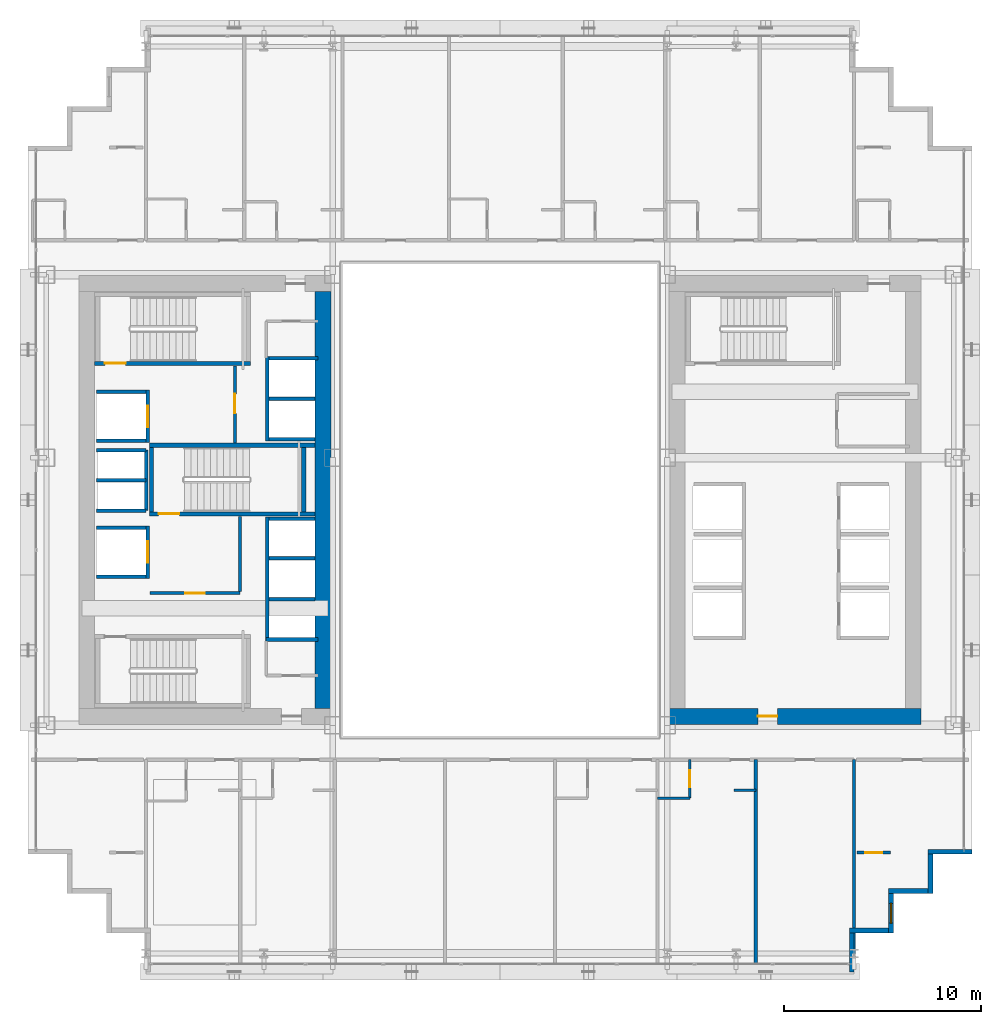
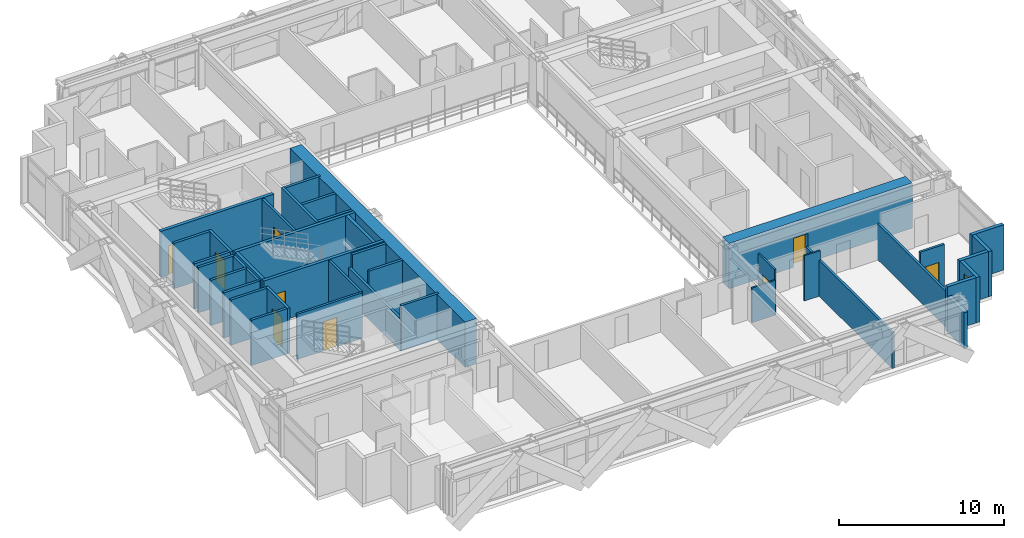
# One storey, part 28 of 35: 41 walls, 9 doors, 1 window, 10 openings.
"""IFC4 building model written with IfcOpenShell, lengths in metres."""

from ifc_helpers import new_model, si_unit, direction, frame, frame_2d, origin, place, context, subcontext, project, spatial, rectangle, extrude, source, transform, mapped, material, layer, layer_set, type_object, element, fill, save


model = new_model("IFC4")

# Units and contexts
model_context = context("Model", 3, precision=1e-05, world=origin(), true_north=direction((0.0, 1.0)))
body_context = subcontext(model_context, "Body", "Model", "MODEL_VIEW")
ifc_project = project(units=[si_unit("LENGTHUNIT", "METRE"), si_unit("AREAUNIT", "SQUARE_METRE"), si_unit("VOLUMEUNIT", "CUBIC_METRE"), si_unit("PLANEANGLEUNIT", "RADIAN"), si_unit("MASSUNIT", "GRAM", prefix="KILO")], contexts=[model_context])

# Site, building, storey
site_placement = place(None, origin())
site = spatial("IfcSite", under=ifc_project, at=site_placement, CompositionType="ELEMENT")
building_placement = place(site_placement, origin())
building = spatial("IfcBuilding", under=site, at=building_placement, Name="Ocotamira Hotel", CompositionType="ELEMENT")
storey_placement = place(building_placement, frame((0.0, 0.0, 70.800048828125)))
storey = spatial("IfcBuildingStorey", under=building, at=storey_placement, Name="L17", CompositionType="ELEMENT", Elevation=70.800048828125)

# Wall
ifc_material_1 = material(Name="Concrete C60/75", Category="concrete")
ifc_layer_1 = layer(ifc_material_1, 0.800048828125)
ifc_layer_set_1 = layer_set([ifc_layer_1], Name="Concrete C60/75")
wall_type_1 = type_object("IfcWallType", Name="WL-CORE-800", PredefinedType="SHEAR", material=ifc_layer_set_1)
wall_1_placement = place(storey_placement, frame((23.0, 15.39990234375, 0.0), z_axis=(0.0, 0.0, 1.0), x_axis=(0.0, 1.0, 0.0)))
element("IfcWall", 1, at=wall_1_placement, inside=storey, type_object=wall_type_1, Name="L17 Shear Core Wall WCORE-E", PredefinedType="SHEAR", context=body_context, shape_type="SweptSolid", body=[
    extrude(rectangle(XDim=21.2001953125, YDim=0.800048828125, at=frame_2d((10.60009765625, 0.0))), origin(), (0.0, 0.0, 1.0), 3.349853515625),
])

# Wall, opening, door
wall_2_placement = place(storey_placement, frame((40.60009765625, 15.0, 0.0), z_axis=(0.0, 0.0, 1.0), x_axis=(1.0, 0.0, 0.0)))
wall_2 = element("IfcWall", 2, at=wall_2_placement, inside=storey, type_object=wall_type_1, Name="L17 Shear Core Wall ECORE-S", PredefinedType="SHEAR", context=body_context, shape_type="SweptSolid", body=[
    extrude(rectangle(XDim=12.7998046875, YDim=0.800048828125, at=frame_2d((6.39990234375, 0.0))), origin(), (0.0, 0.0, 1.0), 3.349853515625),
])
opening_1_placement = place(wall_2_placement, frame((4.5, 0.0, 0.0)))
opening_1 = element("IfcOpeningElement", 3, at=opening_1_placement, cuts=wall_2, Name="Opening D-FR2", PredefinedType="OPENING", context=body_context, shape_type="SweptSolid", body=[
    extrude(rectangle(XDim=1.0, YDim=2.14990234375, at=frame_2d((0.5, 1.074951171875))), frame((0.0, 0.41015625, 0.0), z_axis=(0.0, -1.0, 0.0), x_axis=(1.0, 0.0, 0.0)), (0.0, 0.0, 1.0), 0.820068359375),
])
ifc_material_2 = material(Name="Fire-rated acoustic timber-veneer door", Category="wood")
door_type_1 = type_object("IfcDoorType", Name="DR-FIRE-1000", OperationType="NOTDEFINED", PredefinedType="DOOR", material=ifc_material_2)
shared_shape_1 = source(origin(), body_context, "Body", "SweptSolid", [
    extrude(rectangle(XDim=1.0, YDim=2.14990234375, at=frame_2d((0.5, 1.074951171875))), frame((0.0, 0.02490234375, 0.0), z_axis=(0.0, -1.0, 0.0), x_axis=(1.0, 0.0, 0.0)), (0.0, 0.0, 1.0), 0.050048828125),
])
door_1_placement = place(opening_1_placement, origin())
door_1 = element("IfcDoor", 4, at=door_1_placement, inside=storey, type_object=door_type_1, Name="L17 Door ID-L17-ELOB-S-D [ID-L17-ELOB-S-D]", OperationType="SINGLE_SWING_RIGHT", OverallHeight=2.14990234375, OverallWidth=1.0, PredefinedType="DOOR", context=body_context, shape_type="MappedRepresentation", body=[
    mapped(shared_shape_1, transform((0.0, 0.0, 0.0), scale=1.0)),
])
fill(opening_1, door_1)

# Walls
ifc_material_3 = material(Name="Precast concrete C45/55", Category="concrete")
ifc_layer_2 = layer(ifc_material_3, 0.25)
ifc_layer_set_2 = layer_set([ifc_layer_2], Name="Precast concrete C45/55")
wall_type_2 = type_object("IfcWallType", Name="WL-EXT-SER-250", PredefinedType="SOLIDWALL", material=ifc_layer_set_2)
wall_3_placement = place(storey_placement, frame((49.875, 2.0, 0.0), z_axis=(0.0, 0.0, 1.0), x_axis=(0.0, 1.0, 0.0)))
element("IfcWall", 5, at=wall_3_placement, inside=storey, type_object=wall_type_2, Name="L17 Serrated Corner Wall 01", PredefinedType="SOLIDWALL", context=body_context, shape_type="SweptSolid", body=[
    extrude(rectangle(XDim=2.0, YDim=0.25, at=frame_2d((1.0, 0.0))), origin(), (0.0, 0.0, 1.0), 2.656982421875),
])
wall_4_placement = place(storey_placement, frame((49.75, 4.125, 0.0), z_axis=(0.0, 0.0, 1.0), x_axis=(1.0, 0.0, 0.0)))
element("IfcWall", 6, at=wall_4_placement, inside=storey, type_object=wall_type_2, Name="L17 Serrated Corner Wall 02", PredefinedType="SOLIDWALL", context=body_context, shape_type="SweptSolid", body=[
    extrude(rectangle(XDim=2.0, YDim=0.25, at=frame_2d((1.0, 0.0))), origin(), (0.0, 0.0, 1.0), 3.349853515625),
])

# Wall, opening, window
wall_5_placement = place(storey_placement, frame((51.875, 4.0, 0.0), z_axis=(0.0, 0.0, 1.0), x_axis=(0.0, 1.0, 0.0)))
wall_5 = element("IfcWall", 7, at=wall_5_placement, inside=storey, type_object=wall_type_2, Name="L17 Serrated Corner Wall 03", PredefinedType="SOLIDWALL", context=body_context, shape_type="SweptSolid", body=[
    extrude(rectangle(XDim=2.0, YDim=0.25, at=frame_2d((1.0, 0.0))), origin(), (0.0, 0.0, 1.0), 3.349853515625),
])
opening_2_placement = place(wall_5_placement, frame((0.5, 0.0, 0.85009765625)))
opening_2 = element("IfcOpeningElement", 8, at=opening_2_placement, cuts=wall_5, Name="Opening WN-2", PredefinedType="OPENING", context=body_context, shape_type="SweptSolid", body=[
    extrude(rectangle(XDim=1.0, YDim=1.89990234375, at=frame_2d((0.5, 0.949951171875))), frame((0.0, 0.135009765625, 0.0), z_axis=(0.0, -1.0, 0.0), x_axis=(1.0, 0.0, 0.0)), (0.0, 0.0, 1.0), 0.27001953125),
])
ifc_material_4 = material(Name="Double-silver low-E solar glass", Category="glass")
window_type = type_object("IfcWindowType", Name="WIN-SER-1100", PartitioningType="SINGLE_PANEL", PredefinedType="WINDOW", material=ifc_material_4)
shared_shape_2 = source(origin(), body_context, "Body", "SweptSolid", [
    extrude(rectangle(XDim=1.0, YDim=1.89990234375, at=frame_2d((0.5, 0.949951171875))), frame((0.0, 0.030029296875, 0.0), z_axis=(0.0, -1.0, 0.0), x_axis=(1.0, 0.0, 0.0)), (0.0, 0.0, 1.0), 0.06005859375),
])
window_placement = place(opening_2_placement, origin())
window = element("IfcWindow", 9, at=window_placement, inside=storey, type_object=window_type, Name="L17 Serrated Corner Window 03", OverallHeight=1.89990234375, OverallWidth=1.0, PartitioningType="SINGLE_PANEL", PredefinedType="WINDOW", context=body_context, shape_type="MappedRepresentation", body=[
    mapped(shared_shape_2, transform((0.0, 0.0, 0.0), scale=1.0)),
])
fill(opening_2, window)

# Walls
for number, where, z_axis, x_axis, name in (
    (10, (51.75, 6.125, 0.0), (0.0, 0.0, 1.0), (1.0, 0.0, 0.0), "L17 Serrated Corner Wall 04"),
    (11, (53.875, 6.0, 0.0), (0.0, 0.0, 1.0), (0.0, 1.0, 0.0), "L17 Serrated Corner Wall 05"),
):
    element("IfcWall", number, at=place(storey_placement, frame(where, z_axis=z_axis, x_axis=x_axis)), inside=storey, type_object=wall_type_2, Name=name, PredefinedType="SOLIDWALL", context=body_context, shape_type="SweptSolid", body=[
        extrude(rectangle(XDim=2.0, YDim=0.25, at=frame_2d((1.0, 0.0))), origin(), (0.0, 0.0, 1.0), 3.349853515625),
    ])
wall_6_placement = place(storey_placement, frame((53.75, 8.125, 0.0), z_axis=(0.0, 0.0, 1.0), x_axis=(1.0, 0.0, 0.0)))
element("IfcWall", 12, at=wall_6_placement, inside=storey, type_object=wall_type_2, Name="L17 Serrated Corner Wall 06", PredefinedType="SOLIDWALL", context=body_context, shape_type="SweptSolid", body=[
    extrude(rectangle(XDim=2.25, YDim=0.25, at=frame_2d((1.125, 0.0))), origin(), (0.0, 0.0, 1.0), 3.349853515625),
])

# Wall, opening, door
ifc_material_5 = material(Name="Acoustic double-layer fire gypsum board partition", Category="gypsum")
ifc_layer_3 = layer(ifc_material_5, 0.159912109375)
ifc_layer_set_3 = layer_set([ifc_layer_3], Name="Acoustic double-layer fire gypsum board partition")
wall_type_3 = type_object("IfcWallType", Name="WL-FIRE-160", PredefinedType="PARTITIONING", material=ifc_layer_set_3)
wall_7_placement = place(storey_placement, frame((14.199951171875, 21.27001953125, 0.0), z_axis=(0.0, 0.0, 1.0), x_axis=(1.0, 0.0, 0.0)))
wall_7 = element("IfcWall", 13, at=wall_7_placement, inside=storey, type_object=wall_type_3, Name="L17 Interior Wall PW-L17-FSAE1-S", PredefinedType="PARTITIONING", context=body_context, shape_type="SweptSolid", body=[
    extrude(rectangle(XDim=4.580078125, YDim=0.159912109375, at=frame_2d((2.2900390625, 0.0))), origin(), (0.0, 0.0, 1.0), 3.349853515625),
])
opening_3_placement = place(wall_7_placement, frame((1.800048828125, 0.0, 0.0)))
opening_3 = element("IfcOpeningElement", 14, at=opening_3_placement, cuts=wall_7, Name="Opening D-FR2", PredefinedType="OPENING", context=body_context, shape_type="SweptSolid", body=[
    extrude(rectangle(XDim=1.0, YDim=2.14990234375, at=frame_2d((0.5, 1.074951171875))), frame((0.0, 0.08984375, 0.0), z_axis=(0.0, -1.0, 0.0), x_axis=(1.0, 0.0, 0.0)), (0.0, 0.0, 1.0), 0.179931640625),
])
door_2_placement = place(opening_3_placement, origin())
door_2 = element("IfcDoor", 15, at=door_2_placement, inside=storey, type_object=door_type_1, Name="L17 Door ID-L17-FSAE1-D [ID-L17-FSAE1-D]", OperationType="SINGLE_SWING_LEFT", OverallHeight=2.14990234375, OverallWidth=1.0, PredefinedType="DOOR", context=body_context, shape_type="MappedRepresentation", body=[
    mapped(shared_shape_1, transform((0.0, 0.0, 0.0), scale=1.0)),
])
fill(opening_3, door_2)

# Wall
wall_8_placement = place(storey_placement, frame((18.780029296875, 21.35009765625, 0.0), z_axis=(0.0, 0.0, 1.0), x_axis=(0.0, 1.0, 0.0)))
element("IfcWall", 16, at=wall_8_placement, inside=storey, type_object=wall_type_3, Name="L17 Interior Wall PW-L17-FSAE1-E", PredefinedType="PARTITIONING", context=body_context, shape_type="SweptSolid", body=[
    extrude(rectangle(XDim=3.809814453125, YDim=0.159912109375, at=frame_2d((1.90478515625, 0.0))), origin(), (0.0, 0.0, 1.0), 3.349853515625),
])

# Wall, opening, door
wall_9_placement = place(storey_placement, frame((18.530029296875, 28.89990234375, 0.0), z_axis=(0.0, 0.0, 1.0), x_axis=(0.0, 1.0, 0.0)))
wall_9 = element("IfcWall", 17, at=wall_9_placement, inside=storey, type_object=wall_type_3, Name="L17 Interior Wall PW-L17-FSAE2-E", PredefinedType="PARTITIONING", context=body_context, shape_type="SweptSolid", body=[
    extrude(rectangle(XDim=3.900146484375, YDim=0.159912109375, at=frame_2d((1.9501953125, 0.0))), origin(), (0.0, 0.0, 1.0), 3.349853515625),
])
opening_4_placement = place(wall_9_placement, frame((1.5, 0.0, 0.0)))
opening_4 = element("IfcOpeningElement", 18, at=opening_4_placement, cuts=wall_9, Name="Opening D-FR2", PredefinedType="OPENING", context=body_context, shape_type="SweptSolid", body=[
    extrude(rectangle(XDim=1.0, YDim=2.14990234375, at=frame_2d((0.5, 1.074951171875))), frame((0.0, 0.08984375, 0.0), z_axis=(0.0, -1.0, 0.0), x_axis=(1.0, 0.0, 0.0)), (0.0, 0.0, 1.0), 0.179931640625),
])
door_3_placement = place(opening_4_placement, origin())
door_3 = element("IfcDoor", 19, at=door_3_placement, inside=storey, type_object=door_type_1, Name="L17 Door ID-L17-FSAE2-D [ID-L17-FSAE2-D]", OperationType="SINGLE_SWING_RIGHT", OverallHeight=2.14990234375, OverallWidth=1.0, PredefinedType="DOOR", context=body_context, shape_type="MappedRepresentation", body=[
    mapped(shared_shape_1, transform((0.0, 0.0, 0.0), scale=1.0)),
])
fill(opening_4, door_3)

wall_10_placement = place(storey_placement, frame((50.14990234375, 8.080078125, 0.0), z_axis=(0.0, 0.0, 1.0), x_axis=(1.0, 0.0, 0.0)))
wall_10 = element("IfcWall", 20, at=wall_10_placement, inside=storey, type_object=wall_type_3, Name="L17 Interior Wall PW-L17-Z1D-CSE2-CW", PredefinedType="PARTITIONING", context=body_context, shape_type="SweptSolid", body=[
    extrude(rectangle(XDim=1.7001953125, YDim=0.159912109375, at=frame_2d((0.85009765625, 0.0))), origin(), (0.0, 0.0, 1.0), 3.349853515625),
])
opening_5_placement = place(wall_10_placement, frame((0.409912109375, 0.0, 0.0)))
opening_5 = element("IfcOpeningElement", 21, at=opening_5_placement, cuts=wall_10, Name="Opening D-SV2", PredefinedType="OPENING", context=body_context, shape_type="SweptSolid", body=[
    extrude(rectangle(XDim=0.8798828125, YDim=2.14990234375, at=frame_2d((0.43994140625, 1.074951171875))), frame((0.0, 0.08984375, 0.0), z_axis=(0.0, -1.0, 0.0), x_axis=(1.0, 0.0, 0.0)), (0.0, 0.0, 1.0), 0.179931640625),
])
ifc_material_6 = material(Name="Fire-rated painted steel service door", Category="steel")
door_type_2 = type_object("IfcDoorType", Name="DR-SERV-880", OperationType="NOTDEFINED", PredefinedType="DOOR", material=ifc_material_6)
shared_shape_3 = source(origin(), body_context, "Body", "SweptSolid", [
    extrude(rectangle(XDim=0.8798828125, YDim=2.14990234375, at=frame_2d((0.43994140625, 1.074951171875))), frame((0.0, 0.02490234375, 0.0), z_axis=(0.0, -1.0, 0.0), x_axis=(1.0, 0.0, 0.0)), (0.0, 0.0, 1.0), 0.050048828125),
])
door_4_placement = place(opening_5_placement, origin())
door_4 = element("IfcDoor", 22, at=door_4_placement, inside=storey, type_object=door_type_2, Name="L17 Door ID-L17-Z1D-CSE2-CD [ID-L17-Z1D-CSE2-CD]", OperationType="SINGLE_SWING_LEFT", OverallHeight=2.14990234375, OverallWidth=0.8798828125, PredefinedType="DOOR", context=body_context, shape_type="MappedRepresentation", body=[
    mapped(shared_shape_3, transform((0.0, 0.0, 0.0), scale=1.0)),
])
fill(opening_5, door_4)

ifc_material_7 = material(Name="Moisture-resistant en-suite tile and gypsum partition", Category="gypsum")
ifc_layer_4 = layer(ifc_material_7, 0.1201171875)
ifc_layer_set_4 = layer_set([ifc_layer_4], Name="Moisture-resistant en-suite tile and gypsum partition")
wall_type_4 = type_object("IfcWallType", Name="WL-PART-120", PredefinedType="PARTITIONING", material=ifc_layer_set_4)
wall_11_placement = place(storey_placement, frame((41.64990234375, 10.85009765625, 0.0), z_axis=(0.0, 0.0, 1.0), x_axis=(0.0, 1.0, 0.0)))
wall_11 = element("IfcWall", 23, at=wall_11_placement, inside=storey, type_object=wall_type_4, Name="L17 Interior Wall PW-L17-Z1DS-BAE6", PredefinedType="PARTITIONING", context=body_context, shape_type="SweptSolid", body=[
    extrude(rectangle(XDim=1.949951171875, YDim=0.1201171875, at=frame_2d((0.97509765625, 0.0))), origin(), (0.0, 0.0, 1.0), 3.349853515625),
])
opening_6_placement = place(wall_11_placement, frame((0.544921875, 0.0, 0.0)))
opening_6 = element("IfcOpeningElement", 24, at=opening_6_placement, cuts=wall_11, Name="Opening D-BA1", PredefinedType="OPENING", context=body_context, shape_type="SweptSolid", body=[
    extrude(rectangle(XDim=0.860107421875, YDim=2.10009765625, at=frame_2d((0.43017578125, 1.050048828125))), frame((0.0, 0.070068359375, 0.0), z_axis=(0.0, -1.0, 0.0), x_axis=(1.0, 0.0, 0.0)), (0.0, 0.0, 1.0), 0.14013671875),
])
ifc_material_8 = material(Name="Moisture-sealed en-suite timber door", Category="wood")
door_type_3 = type_object("IfcDoorType", Name="DR-BATH-860", OperationType="NOTDEFINED", PredefinedType="DOOR", material=ifc_material_8)
shared_shape_4 = source(origin(), body_context, "Body", "SweptSolid", [
    extrude(rectangle(XDim=0.860107421875, YDim=2.10009765625, at=frame_2d((0.43017578125, 1.050048828125))), frame((0.0, 0.02490234375, 0.0), z_axis=(0.0, -1.0, 0.0), x_axis=(1.0, 0.0, 0.0)), (0.0, 0.0, 1.0), 0.050048828125),
])
door_5_placement = place(opening_6_placement, origin())
door_5 = element("IfcDoor", 25, at=door_5_placement, inside=storey, type_object=door_type_3, Name="L17 Door ID-L17-Z1DS-BAD6 [ID-L17-Z1DS-BAD6]", OperationType="SINGLE_SWING_LEFT", OverallHeight=2.10009765625, OverallWidth=0.860107421875, PredefinedType="DOOR", context=body_context, shape_type="MappedRepresentation", body=[
    mapped(shared_shape_4, transform((0.0, 0.0, 0.0), scale=1.0)),
])
fill(opening_6, door_5)

# Walls
wall_12_placement = place(storey_placement, frame((40.0, 10.85009765625, 0.0), z_axis=(0.0, 0.0, 1.0), x_axis=(1.0, 0.0, 0.0)))
element("IfcWall", 26, at=wall_12_placement, inside=storey, type_object=wall_type_4, Name="L17 Interior Wall PW-L17-Z1DS-BAS6", PredefinedType="PARTITIONING", context=body_context, shape_type="SweptSolid", body=[
    extrude(rectangle(XDim=1.64990234375, YDim=0.1201171875, at=frame_2d((0.824951171875, 0.0))), origin(), (0.0, 0.0, 1.0), 2.571044921875),
])
wall_13_placement = place(storey_placement, frame((43.89990234375, 11.25, 0.0), z_axis=(0.0, 0.0, 1.0), x_axis=(1.0, 0.0, 0.0)))
element("IfcWall", 27, at=wall_13_placement, inside=storey, type_object=wall_type_4, Name="L17 Interior Wall PW-L17-Z1DS-DRN6", PredefinedType="PARTITIONING", context=body_context, shape_type="SweptSolid", body=[
    extrude(rectangle(XDim=1.10009765625, YDim=0.1201171875, at=frame_2d((0.550048828125, 0.0))), origin(), (0.0, 0.0, 1.0), 3.349853515625),
])
ifc_material_9 = material(Name="Acoustic double-stud hospitality gypsum partition", Category="gypsum")
ifc_layer_5 = layer(ifc_material_9, 0.159912109375)
ifc_layer_set_5 = layer_set([ifc_layer_5], Name="Acoustic double-stud hospitality gypsum partition")
wall_type_5 = type_object("IfcWallType", Name="WL-PART-160", PredefinedType="PARTITIONING", material=ifc_layer_set_5)
for number, where, z_axis, x_axis, name in (
    (28, (50.0, 2.360107421875, 0.0), (0.0, 0.0, 1.0), (0.0, 1.0, 0.0), "L17 Interior Wall PW-L17-Z1DS-PWEND"),
    (29, (45.0, 2.360107421875, 0.0), (0.0, 0.0, 1.0), (0.0, 1.0, 0.0), "L17 Interior Wall PW-L17-Z1DS-PW6"),
):
    element("IfcWall", number, at=place(storey_placement, frame(where, z_axis=z_axis, x_axis=x_axis)), inside=storey, type_object=wall_type_5, Name=name, PredefinedType="PARTITIONING", context=body_context, shape_type="SweptSolid", body=[
        extrude(rectangle(XDim=10.43994140625, YDim=0.159912109375, at=frame_2d((5.219970703125, 0.0))), origin(), (0.0, 0.0, 1.0), 2.656982421875),
    ])
ifc_material_10 = material(Name="Fire-rated gypsum shaftliner board assembly", Category="gypsum")
ifc_layer_6 = layer(ifc_material_10, 0.179931640625)
ifc_layer_set_6 = layer_set([ifc_layer_6], Name="Fire-rated gypsum shaftliner board assembly")
wall_type_6 = type_object("IfcWallType", Name="WL-SHAFT-180", PredefinedType="SOLIDWALL", material=ifc_layer_set_6)
wall_14_placement = place(storey_placement, frame((20.159912109375, 18.820068359375, 0.0), z_axis=(0.0, 0.0, 1.0), x_axis=(0.0, 1.0, 0.0)))
element("IfcWall", 30, at=wall_14_placement, inside=storey, type_object=wall_type_6, Name="L17 Interior Wall PW-L17-LFW-BANK-high-F", PredefinedType="SOLIDWALL", context=body_context, shape_type="SweptSolid", body=[
    extrude(rectangle(XDim=6.31982421875, YDim=0.179931640625, at=frame_2d((3.159912109375, 0.0))), origin(), (0.0, 0.0, 1.0), 2.35986328125),
])
wall_15_placement = place(storey_placement, frame((20.1201171875, 18.909912109375, 0.0), z_axis=(0.0, 0.0, 1.0), x_axis=(1.0, 0.0, 0.0)))
element("IfcWall", 31, at=wall_15_placement, inside=storey, type_object=wall_type_6, Name="L17 Interior Wall PW-L17-LFW-BANK-high-S", PredefinedType="SOLIDWALL", context=body_context, shape_type="SweptSolid", body=[
    extrude(rectangle(XDim=2.6298828125, YDim=0.179931640625, at=frame_2d((1.31494140625, 0.0))), origin(), (0.0, 0.0, 1.0), 3.349853515625),
])
wall_16_placement = place(storey_placement, frame((20.25, 25.050048828125, 0.0), z_axis=(0.0, 0.0, 1.0), x_axis=(1.0, 0.0, 0.0)))
element("IfcWall", 32, at=wall_16_placement, inside=storey, type_object=wall_type_6, Name="L17 Interior Wall PW-L17-LFW-BANK-high-N", PredefinedType="SOLIDWALL", context=body_context, shape_type="SweptSolid", body=[
    extrude(rectangle(XDim=2.360107421875, YDim=0.179931640625, at=frame_2d((1.18017578125, 0.0))), origin(), (0.0, 0.0, 1.0), 3.349853515625),
])
wall_17_placement = place(storey_placement, frame((20.25, 20.965087890625, 0.0), z_axis=(0.0, 0.0, 1.0), x_axis=(1.0, 0.0, 0.0)))
element("IfcWall", 33, at=wall_17_placement, inside=storey, type_object=wall_type_6, Name="L17 Interior Wall PW-L17-LFW-DIV-LF-P7", PredefinedType="SOLIDWALL", context=body_context, shape_type="SweptSolid", body=[
    extrude(rectangle(XDim=2.360107421875, YDim=0.179931640625, at=frame_2d((1.18017578125, 0.0))), origin(), (0.0, 0.0, 1.0), 2.35986328125),
])
wall_18_placement = place(storey_placement, frame((20.25, 23.044921875, 0.0), z_axis=(0.0, 0.0, 1.0), x_axis=(1.0, 0.0, 0.0)))
element("IfcWall", 34, at=wall_18_placement, inside=storey, type_object=wall_type_6, Name="L17 Interior Wall PW-L17-LFW-DIV-LF-P8", PredefinedType="SOLIDWALL", context=body_context, shape_type="SweptSolid", body=[
    extrude(rectangle(XDim=2.360107421875, YDim=0.179931640625, at=frame_2d((1.18017578125, 0.0))), origin(), (0.0, 0.0, 1.0), 3.349853515625),
])
wall_19_placement = place(storey_placement, frame((20.159912109375, 29.0, 0.0), z_axis=(0.0, 0.0, 1.0), x_axis=(0.0, 1.0, 0.0)))
element("IfcWall", 35, at=wall_19_placement, inside=storey, type_object=wall_type_6, Name="L17 Interior Wall PW-L17-LFW-BANK-obs-F", PredefinedType="SOLIDWALL", context=body_context, shape_type="SweptSolid", body=[
    extrude(rectangle(XDim=4.2900390625, YDim=0.179931640625, at=frame_2d((2.14501953125, 0.0))), origin(), (0.0, 0.0, 1.0), 3.349853515625),
])
wall_20_placement = place(storey_placement, frame((20.25, 29.090087890625, 0.0), z_axis=(0.0, 0.0, 1.0), x_axis=(1.0, 0.0, 0.0)))
element("IfcWall", 36, at=wall_20_placement, inside=storey, type_object=wall_type_6, Name="L17 Interior Wall PW-L17-LFW-BANK-obs-S", PredefinedType="SOLIDWALL", context=body_context, shape_type="SweptSolid", body=[
    extrude(rectangle(XDim=2.360107421875, YDim=0.179931640625, at=frame_2d((1.18017578125, 0.0))), origin(), (0.0, 0.0, 1.0), 3.349853515625),
])
wall_21_placement = place(storey_placement, frame((20.25, 33.199951171875, 0.0), z_axis=(0.0, 0.0, 1.0), x_axis=(1.0, 0.0, 0.0)))
element("IfcWall", 37, at=wall_21_placement, inside=storey, type_object=wall_type_6, Name="L17 Interior Wall PW-L17-LFW-BANK-obs-N", PredefinedType="SOLIDWALL", context=body_context, shape_type="SweptSolid", body=[
    extrude(rectangle(XDim=2.5, YDim=0.179931640625, at=frame_2d((1.25, 0.0))), origin(), (0.0, 0.0, 1.0), 3.349853515625),
])
wall_22_placement = place(storey_placement, frame((20.25, 31.14501953125, 0.0), z_axis=(0.0, 0.0, 1.0), x_axis=(1.0, 0.0, 0.0)))
element("IfcWall", 38, at=wall_22_placement, inside=storey, type_object=wall_type_6, Name="L17 Interior Wall PW-L17-LFW-DIV-LF-OBS1", PredefinedType="SOLIDWALL", context=body_context, shape_type="SweptSolid", body=[
    extrude(rectangle(XDim=2.360107421875, YDim=0.179931640625, at=frame_2d((1.18017578125, 0.0))), origin(), (0.0, 0.0, 1.0), 3.349853515625),
])
for number, where, z_axis, x_axis, name in (
    (39, (11.5, 22.110107421875, 0.0), (0.0, 0.0, 1.0), (1.0, 0.0, 0.0), "L17 Interior Wall PW-L17-LFW-LF-FSAE1-S"),
    (40, (11.5, 24.590087890625, 0.0), (0.0, 0.0, 1.0), (1.0, 0.0, 0.0), "L17 Interior Wall PW-L17-LFW-LF-FSAE1-N"),
):
    element("IfcWall", number, at=place(storey_placement, frame(where, z_axis=z_axis, x_axis=x_axis)), inside=storey, type_object=wall_type_6, Name=name, PredefinedType="SOLIDWALL", context=body_context, shape_type="SweptSolid", body=[
        extrude(rectangle(XDim=2.5, YDim=0.179931640625, at=frame_2d((1.25, 0.0))), origin(), (0.0, 0.0, 1.0), 3.349853515625),
    ])

# Wall, opening, door
wall_23_placement = place(storey_placement, frame((14.090087890625, 22.02001953125, 0.0), z_axis=(0.0, 0.0, 1.0), x_axis=(0.0, 1.0, 0.0)))
wall_23 = element("IfcWall", 41, at=wall_23_placement, inside=storey, type_object=wall_type_6, Name="L17 Interior Wall PW-L17-LFW-LF-FSAE1-E", PredefinedType="SOLIDWALL", context=body_context, shape_type="SweptSolid", body=[
    extrude(rectangle(XDim=2.659912109375, YDim=0.179931640625, at=frame_2d((1.330078125, 0.0))), origin(), (0.0, 0.0, 1.0), 3.349853515625),
])
opening_7_placement = place(wall_23_placement, frame((0.780029296875, 0.0, 0.0)))
opening_7 = element("IfcOpeningElement", 42, at=opening_7_placement, cuts=wall_23, Name="Opening LD-LF-FSAE1", PredefinedType="OPENING", context=body_context, shape_type="SweptSolid", body=[
    extrude(rectangle(XDim=1.10009765625, YDim=2.199951171875, at=frame_2d((0.550048828125, 1.10009765625))), frame((0.0, 0.10009765625, 0.0), z_axis=(0.0, -1.0, 0.0), x_axis=(1.0, 0.0, 0.0)), (0.0, 0.0, 1.0), 0.199951171875),
])
ifc_material_11 = material(Name="Brushed pale-metal stainless elevator landing door", Category="steel")
door_type_4 = type_object("IfcDoorType", Name="DR-LIFT-1100", OperationType="NOTDEFINED", PredefinedType="DOOR", material=ifc_material_11)
shared_shape_5 = source(origin(), body_context, "Body", "SweptSolid", [
    extrude(rectangle(XDim=1.10009765625, YDim=2.199951171875, at=frame_2d((0.550048828125, 1.10009765625))), frame((0.0, 0.02490234375, 0.0), z_axis=(0.0, -1.0, 0.0), x_axis=(1.0, 0.0, 0.0)), (0.0, 0.0, 1.0), 0.050048828125),
])
door_6_placement = place(opening_7_placement, origin())
door_6 = element("IfcDoor", 43, at=door_6_placement, inside=storey, type_object=door_type_4, Name="L17 Landing Door LD-LF-FSAE1 [ID-L17-LD-LF-FSAE1]", OperationType="DOUBLE_DOOR_SLIDING", OverallHeight=2.199951171875, OverallWidth=1.10009765625, PredefinedType="DOOR", context=body_context, shape_type="MappedRepresentation", body=[
    mapped(shared_shape_5, transform((0.0, 0.0, 0.0), scale=1.0)),
])
fill(opening_7, door_6)

# Walls
for number, where, z_axis, x_axis, name in (
    (44, (11.5, 29.010009765625, 0.0), (0.0, 0.0, 1.0), (1.0, 0.0, 0.0), "L17 Interior Wall PW-L17-LFW-LF-FSAE2-S"),
    (45, (11.5, 31.489990234375, 0.0), (0.0, 0.0, 1.0), (1.0, 0.0, 0.0), "L17 Interior Wall PW-L17-LFW-LF-FSAE2-N"),
):
    element("IfcWall", number, at=place(storey_placement, frame(where, z_axis=z_axis, x_axis=x_axis)), inside=storey, type_object=wall_type_6, Name=name, PredefinedType="SOLIDWALL", context=body_context, shape_type="SweptSolid", body=[
        extrude(rectangle(XDim=2.5, YDim=0.179931640625, at=frame_2d((1.25, 0.0))), origin(), (0.0, 0.0, 1.0), 3.349853515625),
    ])

# Wall, opening, door
wall_24_placement = place(storey_placement, frame((14.090087890625, 28.919921875, 0.0), z_axis=(0.0, 0.0, 1.0), x_axis=(0.0, 1.0, 0.0)))
wall_24 = element("IfcWall", 46, at=wall_24_placement, inside=storey, type_object=wall_type_6, Name="L17 Interior Wall PW-L17-LFW-LF-FSAE2-E", PredefinedType="SOLIDWALL", context=body_context, shape_type="SweptSolid", body=[
    extrude(rectangle(XDim=2.66015625, YDim=0.179931640625, at=frame_2d((1.330078125, 0.0))), origin(), (0.0, 0.0, 1.0), 3.349853515625),
])
opening_8_placement = place(wall_24_placement, frame((0.780029296875, 0.0, 0.0)))
opening_8 = element("IfcOpeningElement", 47, at=opening_8_placement, cuts=wall_24, Name="Opening LD-LF-FSAE2", PredefinedType="OPENING", context=body_context, shape_type="SweptSolid", body=[
    extrude(rectangle(XDim=1.10009765625, YDim=2.199951171875, at=frame_2d((0.550048828125, 1.10009765625))), frame((0.0, 0.10009765625, 0.0), z_axis=(0.0, -1.0, 0.0), x_axis=(1.0, 0.0, 0.0)), (0.0, 0.0, 1.0), 0.199951171875),
])
door_7_placement = place(opening_8_placement, origin())
door_7 = element("IfcDoor", 48, at=door_7_placement, inside=storey, type_object=door_type_4, Name="L17 Landing Door LD-LF-FSAE2 [ID-L17-LD-LF-FSAE2]", OperationType="DOUBLE_DOOR_SLIDING", OverallHeight=2.199951171875, OverallWidth=1.10009765625, PredefinedType="DOOR", context=body_context, shape_type="MappedRepresentation", body=[
    mapped(shared_shape_5, transform((0.0, 0.0, 0.0), scale=1.0)),
])
fill(opening_8, door_7)

# Walls
for number, where, z_axis, x_axis, name in (
    (49, (11.5, 25.4599609375, 0.0), (0.0, 0.0, 1.0), (1.0, 0.0, 0.0), "L17 Interior Wall PW-L17-RSW-S"),
    (50, (11.5, 27.0, 0.0), (0.0, 0.0, 1.0), (1.0, 0.0, 0.0), "L17 Interior Wall PW-L17-RSW-MID"),
    (51, (11.5, 28.5400390625, 0.0), (0.0, 0.0, 1.0), (1.0, 0.0, 0.0), "L17 Interior Wall PW-L17-RSW-N"),
):
    element("IfcWall", number, at=place(storey_placement, frame(where, z_axis=z_axis, x_axis=x_axis)), inside=storey, type_object=wall_type_6, Name=name, PredefinedType="SOLIDWALL", context=body_context, shape_type="SweptSolid", body=[
        extrude(rectangle(XDim=2.510009765625, YDim=0.179931640625, at=frame_2d((1.2548828125, 0.0))), origin(), (0.0, 0.0, 1.0), 3.349853515625),
    ])
wall_25_placement = place(storey_placement, frame((14.010009765625, 25.4599609375, 0.0), z_axis=(0.0, 0.0, 1.0), x_axis=(0.0, 1.0, 0.0)))
element("IfcWall", 52, at=wall_25_placement, inside=storey, type_object=wall_type_6, Name="L17 Interior Wall PW-L17-RSW-E", PredefinedType="SOLIDWALL", context=body_context, shape_type="SweptSolid", body=[
    extrude(rectangle(XDim=3.080078125, YDim=0.179931640625, at=frame_2d((1.5400390625, 0.0))), origin(), (0.0, 0.0, 1.0), 3.349853515625),
])

# Wall, opening, door
ifc_material_12 = material(Name="Concrete C50/60", Category="concrete")
ifc_layer_7 = layer(ifc_material_12, 0.219970703125)
ifc_layer_set_7 = layer_set([ifc_layer_7], Name="Concrete C50/60")
wall_type_7 = type_object("IfcWallType", Name="WL-STAIR-220", PredefinedType="SHEAR", material=ifc_layer_set_7)
wall_26_placement = place(storey_placement, frame((11.39990234375, 32.93994140625, 0.0), z_axis=(0.0, 0.0, 1.0), x_axis=(1.0, 0.0, 0.0)))
wall_26 = element("IfcWall", 53, at=wall_26_placement, inside=storey, type_object=wall_type_7, Name="L17 Stair Shaft Structural Wall ST-2-S", PredefinedType="SHEAR", context=body_context, shape_type="SweptSolid", body=[
    extrude(rectangle(XDim=7.91015625, YDim=0.219970703125, at=frame_2d((3.955078125, 0.0))), origin(), (0.0, 0.0, 1.0), 3.39990234375),
])
opening_9_placement = place(wall_26_placement, frame((0.52001953125, 0.0, 0.0)))
opening_9 = element("IfcOpeningElement", 54, at=opening_9_placement, cuts=wall_26, Name="Opening D-ST2", PredefinedType="OPENING", context=body_context, shape_type="SweptSolid", body=[
    extrude(rectangle(XDim=1.050048828125, YDim=2.14990234375, at=frame_2d((0.52490234375, 1.074951171875))), frame((0.0, 0.1201171875, 0.0), z_axis=(0.0, -1.0, 0.0), x_axis=(1.0, 0.0, 0.0)), (0.0, 0.0, 1.0), 0.239990234375),
])
ifc_material_13 = material(Name="Insulated painted hollow-metal fire exit door", Category="steel")
door_type_5 = type_object("IfcDoorType", Name="DR-STAIR-1050", OperationType="NOTDEFINED", PredefinedType="DOOR", material=ifc_material_13)
shared_shape_6 = source(origin(), body_context, "Body", "SweptSolid", [
    extrude(rectangle(XDim=1.050048828125, YDim=2.14990234375, at=frame_2d((0.52490234375, 1.074951171875))), frame((0.0, 0.02490234375, 0.0), z_axis=(0.0, -1.0, 0.0), x_axis=(1.0, 0.0, 0.0)), (0.0, 0.0, 1.0), 0.050048828125),
])
door_8_placement = place(opening_9_placement, origin())
door_8 = element("IfcDoor", 55, at=door_8_placement, inside=storey, type_object=door_type_5, Name="L17 Door ID-L17-STD-ST-2 [ID-L17-STD-ST-2]", OperationType="SINGLE_SWING_LEFT", OverallHeight=2.14990234375, OverallWidth=1.050048828125, PredefinedType="DOOR", context=body_context, shape_type="MappedRepresentation", body=[
    mapped(shared_shape_6, transform((0.0, 0.0, 0.0), scale=1.0)),
])
fill(opening_9, door_8)

wall_27_placement = place(storey_placement, frame((14.179931640625, 25.2900390625, 0.0), z_axis=(0.0, 0.0, 1.0), x_axis=(1.0, 0.0, 0.0)))
wall_27 = element("IfcWall", 56, at=wall_27_placement, inside=storey, type_object=wall_type_7, Name="L17 Stair Shaft Structural Wall ST-3-S", PredefinedType="SHEAR", context=body_context, shape_type="SweptSolid", body=[
    extrude(rectangle(XDim=8.420166015625, YDim=0.219970703125, at=frame_2d((4.2099609375, 0.0))), origin(), (0.0, 0.0, 1.0), 3.39990234375),
])
opening_10_placement = place(wall_27_placement, frame((0.469970703125, 0.0, 0.0)))
opening_10 = element("IfcOpeningElement", 57, at=opening_10_placement, cuts=wall_27, Name="Opening D-ST2", PredefinedType="OPENING", context=body_context, shape_type="SweptSolid", body=[
    extrude(rectangle(XDim=1.050048828125, YDim=2.14990234375, at=frame_2d((0.52490234375, 1.074951171875))), frame((0.0, 0.1201171875, 0.0), z_axis=(0.0, -1.0, 0.0), x_axis=(1.0, 0.0, 0.0)), (0.0, 0.0, 1.0), 0.239990234375),
])
door_9_placement = place(opening_10_placement, origin())
door_9 = element("IfcDoor", 58, at=door_9_placement, inside=storey, type_object=door_type_5, Name="L17 Door ID-L17-STD-ST-3 [ID-L17-STD-ST-3]", OperationType="SINGLE_SWING_RIGHT", OverallHeight=2.14990234375, OverallWidth=1.050048828125, PredefinedType="DOOR", context=body_context, shape_type="MappedRepresentation", body=[
    mapped(shared_shape_6, transform((0.0, 0.0, 0.0), scale=1.0)),
])
fill(opening_10, door_9)

# Walls
wall_28_placement = place(storey_placement, frame((14.179931640625, 28.7900390625, 0.0), z_axis=(0.0, 0.0, 1.0), x_axis=(1.0, 0.0, 0.0)))
element("IfcWall", 59, at=wall_28_placement, inside=storey, type_object=wall_type_7, Name="L17 Stair Shaft Structural Wall ST-3-N", PredefinedType="SHEAR", context=body_context, shape_type="SweptSolid", body=[
    extrude(rectangle(XDim=8.420166015625, YDim=0.219970703125, at=frame_2d((4.2099609375, 0.0))), origin(), (0.0, 0.0, 1.0), 3.39990234375),
])
for number, where, z_axis, x_axis, name in (
    (60, (14.2900390625, 25.39990234375, 0.0), (0.0, 0.0, 1.0), (0.0, 1.0, 0.0), "L17 Stair Shaft Structural Wall ST-3-W"),
    (61, (22.030029296875, 25.39990234375, 0.0), (0.0, 0.0, 1.0), (0.0, 1.0, 0.0), "L17 Stair Shaft Structural Wall ST-3-E"),
):
    element("IfcWall", number, at=place(storey_placement, frame(where, z_axis=z_axis, x_axis=x_axis)), inside=storey, type_object=wall_type_7, Name=name, PredefinedType="SHEAR", context=body_context, shape_type="SweptSolid", body=[
        extrude(rectangle(XDim=3.280029296875, YDim=0.219970703125, at=frame_2d((1.64013671875, 0.0))), origin(), (0.0, 0.0, 1.0), 3.39990234375),
    ])

save(model, "model.ifc")
